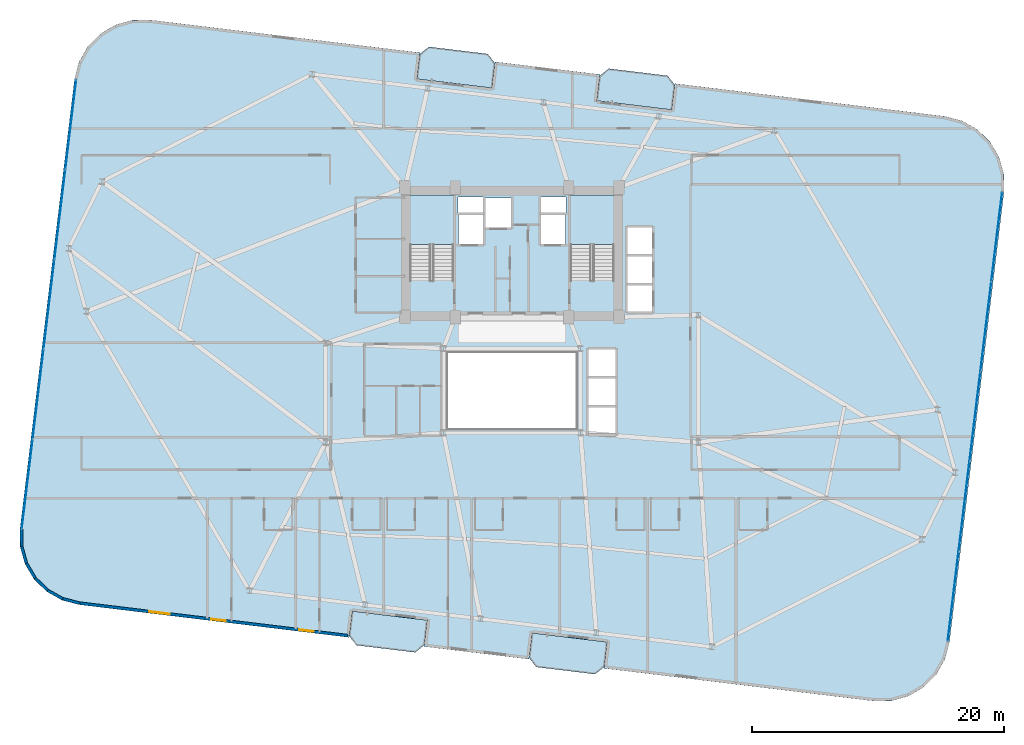
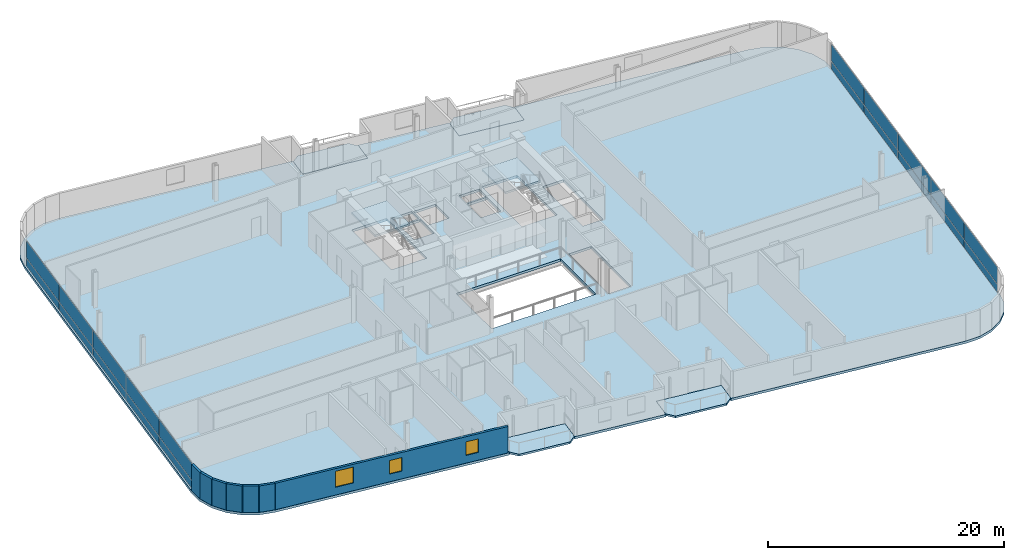
# One storey, part 19 of 26: 20 plates, 7 slabs, 7 walls, 3 windows, 3 openings, 4 elements without a shape of their own.
"""IFC4 building model written with IfcOpenShell, lengths in metres."""

from ifc_helpers import new_model, si_unit, direction, frame, frame_2d, origin, origin_2d, place, context, subcontext, project, spatial, polyline, rectangle, outline, extrude, source, transform, mapped, material, layer, layer_set, type_object, element, fill, aggregate, save


model = new_model("IFC4")

# Units and contexts
model_context = context("Model", 3, precision=1e-05, world=origin(), true_north=direction((0.0, 1.0)))
body_context = subcontext(model_context, "Body", "Model", "MODEL_VIEW")
ifc_project = project(units=[si_unit("LENGTHUNIT", "METRE"), si_unit("AREAUNIT", "SQUARE_METRE"), si_unit("VOLUMEUNIT", "CUBIC_METRE"), si_unit("PLANEANGLEUNIT", "RADIAN"), si_unit("MASSUNIT", "GRAM", prefix="KILO")], contexts=[model_context])

# Site, building, storey
site_placement = place(None, origin())
site = spatial("IfcSite", under=ifc_project, at=site_placement, CompositionType="ELEMENT")
building_placement = place(site_placement, origin())
building = spatial("IfcBuilding", under=site, at=building_placement, Name="Varnelok Gate Tower", CompositionType="ELEMENT")
storey_placement = place(building_placement, frame((0.0, 0.0, 155.0)))
storey = spatial("IfcBuildingStorey", under=building, at=storey_placement, Name="L39", CompositionType="ELEMENT", Elevation=155.0)

# Slabs
ifc_material_1 = material(Name="Concrete C45/55", Category="concrete")
ifc_layer_1 = layer(ifc_material_1, 0.199951171875)
ifc_layer_set_1 = layer_set([ifc_layer_1], Name="Concrete C45/55")
slab_type_1 = type_object("IfcSlabType", Name="SLB-BALC-200", PredefinedType="FLOOR", material=ifc_layer_set_1)
slab_1_placement = place(storey_placement, frame((0.0, 0.0, -0.199951171875)))
element("IfcSlab", 1, at=slab_1_placement, inside=storey, type_object=slab_type_1, Name="L39 South Hollow Balcony 1", PredefinedType="FLOOR", context=body_context, shape_type="SweptSolid", body=[
    extrude(outline(polyline([(26.27001953125, 3.39697265625), (26.837158203125, 2.67333984375), (31.5029296875, 2.107666015625), (32.2265625, 2.6748046875), (32.46728515625, 4.660400390625), (26.5107421875, 5.38232421875), (26.27001953125, 3.39697265625)])), origin(), (0.0, 0.0, 1.0), 0.199951171875),
])
slab_2_placement = place(storey_placement, frame((0.0, 0.0, -0.199951171875)))
element("IfcSlab", 2, at=slab_2_placement, inside=storey, type_object=slab_type_1, Name="L39 South Hollow Balcony 2", PredefinedType="FLOOR", context=body_context, shape_type="SweptSolid", body=[
    extrude(outline(polyline([(40.5654296875, 1.663818359375), (41.132568359375, 0.9404296875), (45.79833984375, 0.374755859375), (46.521728515625, 0.94189453125), (46.762451171875, 2.92724609375), (40.80615234375, 3.6494140625), (40.5654296875, 1.663818359375)])), origin(), (0.0, 0.0, 1.0), 0.199951171875),
])
slab_3_placement = place(storey_placement, frame((0.0, 0.0, -0.199951171875)))
element("IfcSlab", 3, at=slab_3_placement, inside=storey, type_object=slab_type_1, Name="L39 North Hollow Balcony 1", PredefinedType="FLOOR", context=body_context, shape_type="SweptSolid", body=[
    extrude(outline(polyline([(31.637451171875, 47.672607421875), (37.593994140625, 46.95068359375), (37.834716796875, 48.93603515625), (37.267578125, 49.65966796875), (32.601806640625, 50.22509765625), (31.878173828125, 49.658203125), (31.637451171875, 47.672607421875)])), origin(), (0.0, 0.0, 1.0), 0.199951171875),
])
slab_4_placement = place(storey_placement, frame((0.0, 0.0, -0.199951171875)))
element("IfcSlab", 4, at=slab_4_placement, inside=storey, type_object=slab_type_1, Name="L39 North Hollow Balcony 2", PredefinedType="FLOOR", context=body_context, shape_type="SweptSolid", body=[
    extrude(outline(polyline([(45.932861328125, 45.939697265625), (51.88916015625, 45.2177734375), (52.1298828125, 47.203125), (51.562744140625, 47.926513671875), (46.89697265625, 48.4921875), (46.173583984375, 47.92529296875), (45.932861328125, 45.939697265625)])), origin(), (0.0, 0.0, 1.0), 0.199951171875),
])

# Stair, slab
ifc_material_2 = material(Name="Concrete C50/60", Category="concrete")
stair_type = type_object("IfcStairType", Name="STR-CORE-1650", PredefinedType="HALF_TURN_STAIR", material=ifc_material_2)
stair_1_placement = place(storey_placement, origin())
stair_1 = element("IfcStair", 5, at=stair_1_placement, inside=storey, type_object=stair_type, Name="L39 Exit Stair ST-1", PredefinedType="HALF_TURN_STAIR")
ifc_layer_2 = layer(ifc_material_1, 0.199951171875)
ifc_layer_set_2 = layer_set([ifc_layer_2], Name="Concrete C45/55")
slab_type_2 = type_object("IfcSlabType", Name="SLB-LAND-200", PredefinedType="LANDING", material=ifc_layer_set_2)
slab_5_placement = place(storey_placement, frame((0.0, 0.0, 1.64990234375)))
slab_5 = element("IfcSlab", 6, at=slab_5_placement, type_object=slab_type_2, Name="ST-1 landing 1", PredefinedType="LANDING", context=body_context, shape_type="SweptSolid", body=[
    extrude(outline(polyline([(34.550048828125, 34.5), (34.550048828125, 38.449951171875), (31.10009765625, 38.449951171875), (31.10009765625, 34.5), (34.550048828125, 34.5)])), origin(), (0.0, 0.0, 1.0), 0.2001953125),
])
aggregate(stair_1, [slab_5])

stair_2_placement = place(storey_placement, origin())
stair_2 = element("IfcStair", 7, at=stair_2_placement, inside=storey, type_object=stair_type, Name="L39 Exit Stair ST-2", PredefinedType="HALF_TURN_STAIR")
slab_6_placement = place(storey_placement, frame((0.0, 0.0, 1.64990234375)))
slab_6 = element("IfcSlab", 8, at=slab_6_placement, type_object=slab_type_2, Name="ST-2 landing 1", PredefinedType="LANDING", context=body_context, shape_type="SweptSolid", body=[
    extrude(outline(polyline([(47.300048828125, 34.5), (47.300048828125, 38.449951171875), (43.85009765625, 38.449951171875), (43.85009765625, 34.5), (47.300048828125, 34.5)])), origin(), (0.0, 0.0, 1.0), 0.2001953125),
])
aggregate(stair_2, [slab_6])

# Slab
ifc_layer_3 = layer(ifc_material_2, 0.25)
ifc_layer_set_3 = layer_set([ifc_layer_3], Name="Concrete C50/60")
slab_type_3 = type_object("IfcSlabType", Name="SLB-TYP-250", PredefinedType="FLOOR", material=ifc_layer_set_3)
slab_7_placement = place(storey_placement, frame((0.0, 0.0, -0.25)))
element("IfcSlab", 9, at=slab_7_placement, inside=storey, type_object=slab_type_3, Name="L39 Structural Floor Slab", PredefinedType="FLOOR", context=body_context, shape_type="SweptSolid", body=[
    extrude(outline(polyline([(0.104248046875, 11.90771484375), (0.11865234375, 10.498046875), (0.49755859375, 9.14013671875), (1.214599609375, 7.9267578125), (2.2216796875, 6.940185546875), (3.44970703125, 6.247802734375), (4.81494140625, 5.89697265625), (16.529296875, 4.47705078125), (26.258056640625, 3.297607421875), (26.5107421875, 5.38232421875), (32.46728515625, 4.660400390625), (32.214599609375, 2.575439453125), (40.553466796875, 1.564697265625), (40.80615234375, 3.6494140625), (46.762451171875, 2.92724609375), (46.509765625, 0.842529296875), (56.238525390625, -0.3369140625), (67.952880859375, -1.7568359375), (69.3623046875, -1.742431640625), (70.72021484375, -1.363525390625), (71.933837890625, -0.646240234375), (72.92041015625, 0.360595703125), (73.612548828125, 1.588623046875), (73.96337890625, 2.9541015625), (78.2958984375, 38.6923828125), (78.281494140625, 40.101806640625), (77.902587890625, 41.459716796875), (77.185302734375, 42.67333984375), (76.17822265625, 43.659912109375), (74.9501953125, 44.35205078125), (73.5849609375, 44.702880859375), (61.87060546875, 46.123046875), (52.141845703125, 47.302490234375), (51.88916015625, 45.2177734375), (45.932861328125, 45.939697265625), (46.185546875, 48.0244140625), (37.8466796875, 49.035400390625), (37.593994140625, 46.95068359375), (31.637451171875, 47.672607421875), (31.89013671875, 49.75732421875), (22.161376953125, 50.936767578125), (10.447265625, 52.35693359375), (9.03759765625, 52.34228515625), (7.6796875, 51.963623046875), (6.46630859375, 51.246337890625), (5.479736328125, 50.2392578125), (4.787353515625, 49.01123046875), (4.4365234375, 47.64599609375), (0.104248046875, 11.90771484375)]), holes=[polyline([(34.550048828125, 31.679931640625), (34.550048828125, 38.449951171875), (31.10009765625, 38.449951171875), (31.10009765625, 31.679931640625), (34.550048828125, 31.679931640625)]), polyline([(47.300048828125, 31.679931640625), (47.300048828125, 38.449951171875), (43.85009765625, 38.449951171875), (43.85009765625, 31.679931640625), (47.300048828125, 31.679931640625)]), polyline([(34.949951171875, 34.550048828125), (36.89990234375, 34.550048828125), (36.89990234375, 36.89990234375), (34.949951171875, 36.89990234375), (34.949951171875, 34.550048828125)]), polyline([(41.5, 34.550048828125), (43.449951171875, 34.550048828125), (43.449951171875, 36.89990234375), (41.5, 36.89990234375), (41.5, 34.550048828125)]), polyline([(37.050048828125, 35.85009765625), (39.14990234375, 35.85009765625), (39.14990234375, 38.199951171875), (37.050048828125, 38.199951171875), (37.050048828125, 35.85009765625)]), polyline([(48.35009765625, 29.14990234375), (50.35009765625, 29.14990234375), (50.35009765625, 35.89990234375), (48.35009765625, 35.89990234375), (48.35009765625, 29.14990234375)]), polyline([(45.25, 19.449951171875), (47.449951171875, 19.449951171875), (47.449951171875, 26.199951171875), (45.25, 26.199951171875), (45.25, 19.449951171875)]), polyline([(34.919921875, 37.080078125), (36.89990234375, 37.080078125), (36.89990234375, 38.280029296875), (34.919921875, 38.280029296875), (34.919921875, 37.080078125)]), polyline([(41.5, 37.080078125), (43.47998046875, 37.080078125), (43.47998046875, 38.280029296875), (41.5, 38.280029296875), (41.5, 37.080078125)]), polyline([(34.10009765625, 19.89990234375), (44.300048828125, 19.89990234375), (44.300048828125, 25.89990234375), (34.10009765625, 25.89990234375), (34.10009765625, 19.89990234375)])]), origin(), (0.0, 0.0, 1.0), 0.25),
])

# Curtain wall, plates
ifc_material_3 = material(Name="Anodized Aluminum Alloy 6063-T6", Category="aluminium")
ifc_layer_4 = layer(ifc_material_3, 0.179931640625)
ifc_layer_set_4 = layer_set([ifc_layer_4], Name="Anodized Aluminum Alloy 6063-T6")
curtain_wall_type = type_object("IfcCurtainWallType", Name="CW3-HOTEL-VISION", PredefinedType="USERDEFINED", material=ifc_layer_set_4)
curtain_wall_1_placement = place(storey_placement, origin())
curtain_wall_1 = element("IfcCurtainWall", 10, at=curtain_wall_1_placement, inside=storey, type_object=curtain_wall_type, Name="L39 West End Vision Curtain Wall", ObjectType="UNITISED CURTAIN WALL", PredefinedType="USERDEFINED")
ifc_material_4 = material(Name="Low-E Laminated Double Glazing IGU", Category="glass")
ifc_layer_5 = layer(ifc_material_4, 0.031982421875)
ifc_layer_set_5 = layer_set([ifc_layer_5], Name="Low-E Laminated Double Glazing IGU")
plate_type = type_object("IfcPlateType", Name="CW-PNL-IGU32", PredefinedType="CURTAIN_PANEL", material=ifc_layer_set_5)
shared_shape_1 = source(origin(), body_context, "Body", "SweptSolid", [
    extrude(rectangle(XDim=7.1025390625, YDim=0.031982421875, at=origin_2d()), origin(), (0.0, 0.0, 1.0), 0.802490234375),
])
plate_1_placement = place(storey_placement, frame((0.67822265625, 15.480712890625, 0.06494140625), z_axis=(0.0, 0.0, 1.0), x_axis=(0.120347046212, 0.99273188146, 0.0)))
plate_1 = element("IfcPlate", 11, at=plate_1_placement, type_object=plate_type, Name="CW3 panel 1.1", PredefinedType="CURTAIN_PANEL", context=body_context, shape_type="MappedRepresentation", body=[
    mapped(shared_shape_1, transform((0.0, 0.0, 0.0), scale=1.0)),
])
plate_2_placement = place(storey_placement, frame((4.140380859375, 44.039306640625, 0.06494140625), z_axis=(0.0, 0.0, 1.0), x_axis=(0.120347046212, 0.99273188146, 0.0)))
plate_2 = element("IfcPlate", 12, at=plate_2_placement, type_object=plate_type, Name="CW3 panel 5.1", PredefinedType="CURTAIN_PANEL", context=body_context, shape_type="MappedRepresentation", body=[
    mapped(shared_shape_1, transform((0.0, 0.0, 0.0), scale=1.0)),
])

curtain_wall_2_placement = place(storey_placement, origin())
curtain_wall_2 = element("IfcCurtainWall", 13, at=curtain_wall_2_placement, inside=storey, type_object=curtain_wall_type, Name="L39 East End Vision Curtain Wall", ObjectType="UNITISED CURTAIN WALL", PredefinedType="USERDEFINED")
plate_3_placement = place(storey_placement, frame((77.7216796875, 35.119140625, 0.06494140625), z_axis=(0.0, 0.0, 1.0), x_axis=(-0.120347046212, -0.99273188146, 0.0)))
plate_3 = element("IfcPlate", 14, at=plate_3_placement, type_object=plate_type, Name="CW3 panel 1.1", PredefinedType="CURTAIN_PANEL", context=body_context, shape_type="MappedRepresentation", body=[
    mapped(shared_shape_1, transform((0.0, 0.0, 0.0), scale=1.0)),
])
plate_4_placement = place(storey_placement, frame((74.259521484375, 6.560791015625, 0.06494140625), z_axis=(0.0, 0.0, 1.0), x_axis=(-0.120347046212, -0.99273188146, 0.0)))
plate_4 = element("IfcPlate", 15, at=plate_4_placement, type_object=plate_type, Name="CW3 panel 5.1", PredefinedType="CURTAIN_PANEL", context=body_context, shape_type="MappedRepresentation", body=[
    mapped(shared_shape_1, transform((0.0, 0.0, 0.0), scale=1.0)),
])

# Plate
shared_shape_2 = source(origin(), body_context, "Body", "SweptSolid", [
    extrude(rectangle(XDim=7.1025390625, YDim=0.031982421875, at=origin_2d()), origin(), (0.0, 0.0, 1.0), 1.732421875),
])
plate_5_placement = place(storey_placement, frame((0.67822265625, 15.480712890625, 0.9326171875), z_axis=(0.0, 0.0, 1.0), x_axis=(0.120347046212, 0.99273188146, 0.0)))
plate_5 = element("IfcPlate", 16, at=plate_5_placement, type_object=plate_type, Name="CW3 panel 1.2", PredefinedType="CURTAIN_PANEL", context=body_context, shape_type="MappedRepresentation", body=[
    mapped(shared_shape_2, transform((0.0, 0.0, 0.0), scale=1.0)),
])

plate_6_placement = place(storey_placement, frame((4.140380859375, 44.039306640625, 0.9326171875), z_axis=(0.0, 0.0, 1.0), x_axis=(0.120347046212, 0.99273188146, 0.0)))
plate_6 = element("IfcPlate", 17, at=plate_6_placement, type_object=plate_type, Name="CW3 panel 5.2", PredefinedType="CURTAIN_PANEL", context=body_context, shape_type="MappedRepresentation", body=[
    mapped(shared_shape_2, transform((0.0, 0.0, 0.0), scale=1.0)),
])

plate_7_placement = place(storey_placement, frame((77.7216796875, 35.119140625, 0.9326171875), z_axis=(0.0, 0.0, 1.0), x_axis=(-0.120347046212, -0.99273188146, 0.0)))
plate_7 = element("IfcPlate", 18, at=plate_7_placement, type_object=plate_type, Name="CW3 panel 1.2", PredefinedType="CURTAIN_PANEL", context=body_context, shape_type="MappedRepresentation", body=[
    mapped(shared_shape_2, transform((0.0, 0.0, 0.0), scale=1.0)),
])

plate_8_placement = place(storey_placement, frame((74.259521484375, 6.560791015625, 0.9326171875), z_axis=(0.0, 0.0, 1.0), x_axis=(-0.120347046212, -0.99273188146, 0.0)))
plate_8 = element("IfcPlate", 19, at=plate_8_placement, type_object=plate_type, Name="CW3 panel 5.2", PredefinedType="CURTAIN_PANEL", context=body_context, shape_type="MappedRepresentation", body=[
    mapped(shared_shape_2, transform((0.0, 0.0, 0.0), scale=1.0)),
])

shared_shape_3 = source(origin(), body_context, "Body", "SweptSolid", [
    extrude(rectangle(XDim=7.135009765625, YDim=0.031982421875, at=origin_2d()), origin(), (0.0, 0.0, 1.0), 0.802490234375),
])
plate_9_placement = place(storey_placement, frame((1.54296875, 22.6123046875, 0.06494140625), z_axis=(0.0, 0.0, 1.0), x_axis=(0.120347046212, 0.99273188146, 0.0)))
plate_9 = element("IfcPlate", 20, at=plate_9_placement, type_object=plate_type, Name="CW3 panel 2.1", PredefinedType="CURTAIN_PANEL", context=body_context, shape_type="MappedRepresentation", body=[
    mapped(shared_shape_3, transform((0.0, 0.0, 0.0), scale=1.0)),
])

plate_10_placement = place(storey_placement, frame((2.409423828125, 29.760009765625, 0.06494140625), z_axis=(0.0, 0.0, 1.0), x_axis=(0.120347046212, 0.99273188146, 0.0)))
plate_10 = element("IfcPlate", 21, at=plate_10_placement, type_object=plate_type, Name="CW3 panel 3.1", PredefinedType="CURTAIN_PANEL", context=body_context, shape_type="MappedRepresentation", body=[
    mapped(shared_shape_3, transform((0.0, 0.0, 0.0), scale=1.0)),
])

plate_11_placement = place(storey_placement, frame((3.27587890625, 36.90771484375, 0.06494140625), z_axis=(0.0, 0.0, 1.0), x_axis=(0.120347046212, 0.99273188146, 0.0)))
plate_11 = element("IfcPlate", 22, at=plate_11_placement, type_object=plate_type, Name="CW3 panel 4.1", PredefinedType="CURTAIN_PANEL", context=body_context, shape_type="MappedRepresentation", body=[
    mapped(shared_shape_3, transform((0.0, 0.0, 0.0), scale=1.0)),
])

plate_12_placement = place(storey_placement, frame((76.857177734375, 27.98779296875, 0.06494140625), z_axis=(0.0, 0.0, 1.0), x_axis=(-0.120347046212, -0.99273188146, 0.0)))
plate_12 = element("IfcPlate", 23, at=plate_12_placement, type_object=plate_type, Name="CW3 panel 2.1", PredefinedType="CURTAIN_PANEL", context=body_context, shape_type="MappedRepresentation", body=[
    mapped(shared_shape_3, transform((0.0, 0.0, 0.0), scale=1.0)),
])

plate_13_placement = place(storey_placement, frame((75.99072265625, 20.840087890625, 0.06494140625), z_axis=(0.0, 0.0, 1.0), x_axis=(-0.120347046212, -0.99273188146, 0.0)))
plate_13 = element("IfcPlate", 24, at=plate_13_placement, type_object=plate_type, Name="CW3 panel 3.1", PredefinedType="CURTAIN_PANEL", context=body_context, shape_type="MappedRepresentation", body=[
    mapped(shared_shape_3, transform((0.0, 0.0, 0.0), scale=1.0)),
])

plate_14_placement = place(storey_placement, frame((75.124267578125, 13.6923828125, 0.06494140625), z_axis=(0.0, 0.0, 1.0), x_axis=(-0.120347046212, -0.99273188146, 0.0)))
plate_14 = element("IfcPlate", 25, at=plate_14_placement, type_object=plate_type, Name="CW3 panel 4.1", PredefinedType="CURTAIN_PANEL", context=body_context, shape_type="MappedRepresentation", body=[
    mapped(shared_shape_3, transform((0.0, 0.0, 0.0), scale=1.0)),
])

shared_shape_4 = source(origin(), body_context, "Body", "SweptSolid", [
    extrude(rectangle(XDim=7.135009765625, YDim=0.031982421875, at=origin_2d()), origin(), (0.0, 0.0, 1.0), 1.732421875),
])
plate_15_placement = place(storey_placement, frame((1.54296875, 22.6123046875, 0.9326171875), z_axis=(0.0, 0.0, 1.0), x_axis=(0.120347046212, 0.99273188146, 0.0)))
plate_15 = element("IfcPlate", 26, at=plate_15_placement, type_object=plate_type, Name="CW3 panel 2.2", PredefinedType="CURTAIN_PANEL", context=body_context, shape_type="MappedRepresentation", body=[
    mapped(shared_shape_4, transform((0.0, 0.0, 0.0), scale=1.0)),
])

plate_16_placement = place(storey_placement, frame((2.409423828125, 29.760009765625, 0.9326171875), z_axis=(0.0, 0.0, 1.0), x_axis=(0.120347046212, 0.99273188146, 0.0)))
plate_16 = element("IfcPlate", 27, at=plate_16_placement, type_object=plate_type, Name="CW3 panel 3.2", PredefinedType="CURTAIN_PANEL", context=body_context, shape_type="MappedRepresentation", body=[
    mapped(shared_shape_4, transform((0.0, 0.0, 0.0), scale=1.0)),
])

plate_17_placement = place(storey_placement, frame((3.27587890625, 36.90771484375, 0.9326171875), z_axis=(0.0, 0.0, 1.0), x_axis=(0.120347046212, 0.99273188146, 0.0)))
plate_17 = element("IfcPlate", 28, at=plate_17_placement, type_object=plate_type, Name="CW3 panel 4.2", PredefinedType="CURTAIN_PANEL", context=body_context, shape_type="MappedRepresentation", body=[
    mapped(shared_shape_4, transform((0.0, 0.0, 0.0), scale=1.0)),
])

aggregate(curtain_wall_1, [plate_1, plate_5, plate_9, plate_15, plate_10, plate_16, plate_11, plate_17, plate_2, plate_6])

plate_18_placement = place(storey_placement, frame((76.857177734375, 27.98779296875, 0.9326171875), z_axis=(0.0, 0.0, 1.0), x_axis=(-0.120347046212, -0.99273188146, 0.0)))
plate_18 = element("IfcPlate", 29, at=plate_18_placement, type_object=plate_type, Name="CW3 panel 2.2", PredefinedType="CURTAIN_PANEL", context=body_context, shape_type="MappedRepresentation", body=[
    mapped(shared_shape_4, transform((0.0, 0.0, 0.0), scale=1.0)),
])

plate_19_placement = place(storey_placement, frame((75.99072265625, 20.840087890625, 0.9326171875), z_axis=(0.0, 0.0, 1.0), x_axis=(-0.120347046212, -0.99273188146, 0.0)))
plate_19 = element("IfcPlate", 30, at=plate_19_placement, type_object=plate_type, Name="CW3 panel 3.2", PredefinedType="CURTAIN_PANEL", context=body_context, shape_type="MappedRepresentation", body=[
    mapped(shared_shape_4, transform((0.0, 0.0, 0.0), scale=1.0)),
])

plate_20_placement = place(storey_placement, frame((75.124267578125, 13.6923828125, 0.9326171875), z_axis=(0.0, 0.0, 1.0), x_axis=(-0.120347046212, -0.99273188146, 0.0)))
plate_20 = element("IfcPlate", 31, at=plate_20_placement, type_object=plate_type, Name="CW3 panel 4.2", PredefinedType="CURTAIN_PANEL", context=body_context, shape_type="MappedRepresentation", body=[
    mapped(shared_shape_4, transform((0.0, 0.0, 0.0), scale=1.0)),
])

aggregate(curtain_wall_2, [plate_3, plate_7, plate_12, plate_18, plate_13, plate_19, plate_14, plate_20, plate_4, plate_8])

# Walls
ifc_layer_6 = layer(ifc_material_1, 0.219970703125)
ifc_layer_set_6 = layer_set([ifc_layer_6], Name="Concrete C45/55")
wall_type = type_object("IfcWallType", Name="EW-BALC-220", PredefinedType="SOLIDWALL", material=ifc_layer_set_6)
wall_1_placement = place(storey_placement, frame((0.224365234375, 11.89306640625, 0.0), z_axis=(0.0, 0.0, 1.0), x_axis=(0.010098705419, -0.999949006774, 0.0)))
element("IfcWall", 32, at=wall_1_placement, inside=storey, type_object=wall_type, Name="L39 Perimeter Facade Closure Wall 1", PredefinedType="SOLIDWALL", context=body_context, shape_type="SweptSolid", body=[
    extrude(rectangle(XDim=1.3779296875, YDim=0.219970703125, at=frame_2d((0.68896484375, 0.0))), origin(), (0.0, 0.0, 1.0), 2.72998046875),
])
wall_2_placement = place(storey_placement, frame((0.2451171875, 10.490966796875, 0.0), z_axis=(0.0, 0.0, 1.0), x_axis=(0.268853470153, -0.963181089716, 0.0)))
element("IfcWall", 33, at=wall_2_placement, inside=storey, type_object=wall_type, Name="L39 Perimeter Facade Closure Wall 2", PredefinedType="SOLIDWALL", context=body_context, shape_type="SweptSolid", body=[
    extrude(rectangle(XDim=1.35302734375, YDim=0.219970703125, at=frame_2d((0.676513671875, 0.0))), origin(), (0.0, 0.0, 1.0), 2.72998046875),
])
wall_3_placement = place(storey_placement, frame((0.62158203125, 9.166015625, 0.0), z_axis=(0.0, 0.0, 1.0), x_axis=(0.508911700393, -0.860818727261, 0.0)))
element("IfcWall", 34, at=wall_3_placement, inside=storey, type_object=wall_type, Name="L39 Perimeter Facade Closure Wall 3", PredefinedType="SOLIDWALL", context=body_context, shape_type="SweptSolid", body=[
    extrude(rectangle(XDim=1.352783203125, YDim=0.219970703125, at=frame_2d((0.67626953125, 0.0))), origin(), (0.0, 0.0, 1.0), 2.72998046875),
])
wall_4_placement = place(storey_placement, frame((1.327880859375, 7.98388671875, 0.0), z_axis=(0.0, 0.0, 1.0), x_axis=(0.714376989847, -0.69976104234, 0.0)))
element("IfcWall", 35, at=wall_4_placement, inside=storey, type_object=wall_type, Name="L39 Perimeter Facade Closure Wall 4", PredefinedType="SOLIDWALL", context=body_context, shape_type="SweptSolid", body=[
    extrude(rectangle(XDim=1.35302734375, YDim=0.219970703125, at=frame_2d((0.676513671875, 0.0))), origin(), (0.0, 0.0, 1.0), 2.72998046875),
])
wall_5_placement = place(storey_placement, frame((2.316162109375, 7.024658203125, 0.0), z_axis=(0.0, 0.0, 1.0), x_axis=(0.87113677592, -0.491040443996, 0.0)))
element("IfcWall", 36, at=wall_5_placement, inside=storey, type_object=wall_type, Name="L39 Perimeter Facade Closure Wall 5", PredefinedType="SOLIDWALL", context=body_context, shape_type="SweptSolid", body=[
    extrude(rectangle(XDim=1.353271484375, YDim=0.219970703125, at=frame_2d((0.6767578125, 0.0))), origin(), (0.0, 0.0, 1.0), 2.72998046875),
])
wall_6_placement = place(storey_placement, frame((3.519287109375, 6.35400390625, 0.0), z_axis=(0.0, 0.0, 1.0), x_axis=(0.968506529347, -0.248988157573, 0.0)))
element("IfcWall", 37, at=wall_6_placement, inside=storey, type_object=wall_type, Name="L39 Perimeter Facade Closure Wall 6", PredefinedType="SOLIDWALL", context=body_context, shape_type="SweptSolid", body=[
    extrude(rectangle(XDim=1.361083984375, YDim=0.219970703125, at=frame_2d((0.6806640625, 0.0))), origin(), (0.0, 0.0, 1.0), 2.72998046875),
])

# Wall, openings, windows
wall_7_placement = place(storey_placement, frame((4.862060546875, 6.01220703125, 0.0), z_axis=(0.0, 0.0, 1.0), x_axis=(0.99273213367, -0.120344965739, 0.0)))
wall_7 = element("IfcWall", 38, at=wall_7_placement, inside=storey, type_object=wall_type, Name="L39 Perimeter Facade Closure Wall 7", PredefinedType="SOLIDWALL", context=body_context, shape_type="SweptSolid", body=[
    extrude(rectangle(XDim=21.447021484375, YDim=0.219970703125, at=frame_2d((10.7236328125, 0.0))), origin(), (0.0, 0.0, 1.0), 2.72998046875),
])
opening_1_placement = place(wall_7_placement, frame((5.543212890625, 0.0, 0.800048828125)))
opening_1 = element("IfcOpeningElement", 39, at=opening_1_placement, cuts=wall_7, Name="Opening WN3", PredefinedType="OPENING", context=body_context, shape_type="SweptSolid", body=[
    extrude(rectangle(XDim=1.64990234375, YDim=1.64990234375, at=frame_2d((0.824951171875, 0.824951171875))), frame((0.0, 0.119873046875, 0.0), z_axis=(0.0, -1.0, 0.0), x_axis=(1.0, 0.0, 0.0)), (0.0, 0.0, 1.0), 0.239990234375),
])
opening_2_placement = place(wall_7_placement, frame((10.522705078125, 0.0, 0.800048828125)))
opening_2 = element("IfcOpeningElement", 40, at=opening_2_placement, cuts=wall_7, Name="Opening WN8", PredefinedType="OPENING", context=body_context, shape_type="SweptSolid", body=[
    extrude(rectangle(XDim=1.14990234375, YDim=1.39990234375, at=frame_2d((0.574951171875, 0.699951171875))), frame((0.0, 0.119873046875, 0.0), z_axis=(0.0, -1.0, 0.0), x_axis=(1.0, 0.0, 0.0)), (0.0, 0.0, 1.0), 0.239990234375),
])
opening_3_placement = place(wall_7_placement, frame((17.553955078125, 0.0, 0.800048828125)))
opening_3 = element("IfcOpeningElement", 41, at=opening_3_placement, cuts=wall_7, Name="Opening WN8", PredefinedType="OPENING", context=body_context, shape_type="SweptSolid", body=[
    extrude(rectangle(XDim=1.14990234375, YDim=1.39990234375, at=frame_2d((0.574951171875, 0.699951171875))), frame((0.0, 0.119873046875, 0.0), z_axis=(0.0, -1.0, 0.0), x_axis=(1.0, 0.0, 0.0)), (0.0, 0.0, 1.0), 0.239990234375),
])
window_type_1 = type_object("IfcWindowType", Name="WN-BED-1150", PartitioningType="SINGLE_PANEL", PredefinedType="WINDOW", material=ifc_material_4)
window_1_placement = place(opening_2_placement, origin())
window_1 = element("IfcWindow", 42, at=window_1_placement, inside=storey, type_object=window_type_1, Name="L39 Bedroom Vision Window 15", OverallHeight=1.39990234375, OverallWidth=1.14990234375, PartitioningType="SINGLE_PANEL", PredefinedType="WINDOW", context=body_context, shape_type="SweptSolid", body=[
    extrude(rectangle(XDim=1.14990234375, YDim=1.39990234375, at=frame_2d((0.574951171875, 0.699951171875))), frame((0.0, 0.030029296875, 0.0), z_axis=(0.0, -1.0, 0.0), x_axis=(1.0, 0.0, 0.0)), (0.0, 0.0, 1.0), 0.06005859375),
])
fill(opening_2, window_1)
window_2_placement = place(opening_3_placement, origin())
window_2 = element("IfcWindow", 43, at=window_2_placement, inside=storey, type_object=window_type_1, Name="L39 Bedroom Vision Window 16", OverallHeight=1.39990234375, OverallWidth=1.14990234375, PartitioningType="SINGLE_PANEL", PredefinedType="WINDOW", context=body_context, shape_type="SweptSolid", body=[
    extrude(rectangle(XDim=1.14990234375, YDim=1.39990234375, at=frame_2d((0.574951171875, 0.699951171875))), frame((0.0, 0.030029296875, 0.0), z_axis=(0.0, -1.0, 0.0), x_axis=(1.0, 0.0, 0.0)), (0.0, 0.0, 1.0), 0.06005859375),
])
fill(opening_3, window_2)
window_type_2 = type_object("IfcWindowType", Name="WN-HTL-1650", PartitioningType="SINGLE_PANEL", PredefinedType="WINDOW", material=ifc_material_4)
window_3_placement = place(opening_1_placement, origin())
window_3 = element("IfcWindow", 44, at=window_3_placement, inside=storey, type_object=window_type_2, Name="L39 Perimeter Vision Window 7", OverallHeight=1.64990234375, OverallWidth=1.64990234375, PartitioningType="SINGLE_PANEL", PredefinedType="WINDOW", context=body_context, shape_type="SweptSolid", body=[
    extrude(rectangle(XDim=1.64990234375, YDim=1.64990234375, at=frame_2d((0.824951171875, 0.824951171875))), frame((0.0, 0.030029296875, 0.0), z_axis=(0.0, -1.0, 0.0), x_axis=(1.0, 0.0, 0.0)), (0.0, 0.0, 1.0), 0.06005859375),
])
fill(opening_1, window_3)

save(model, "model.ifc")
